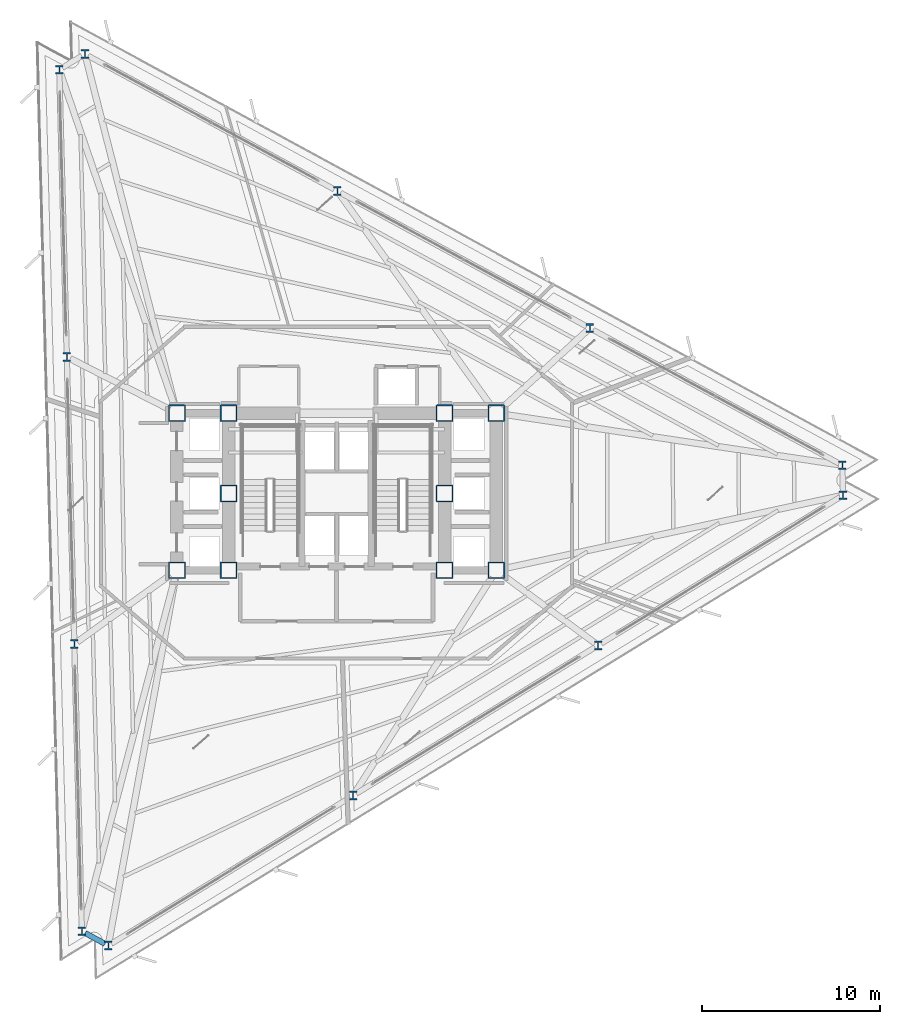
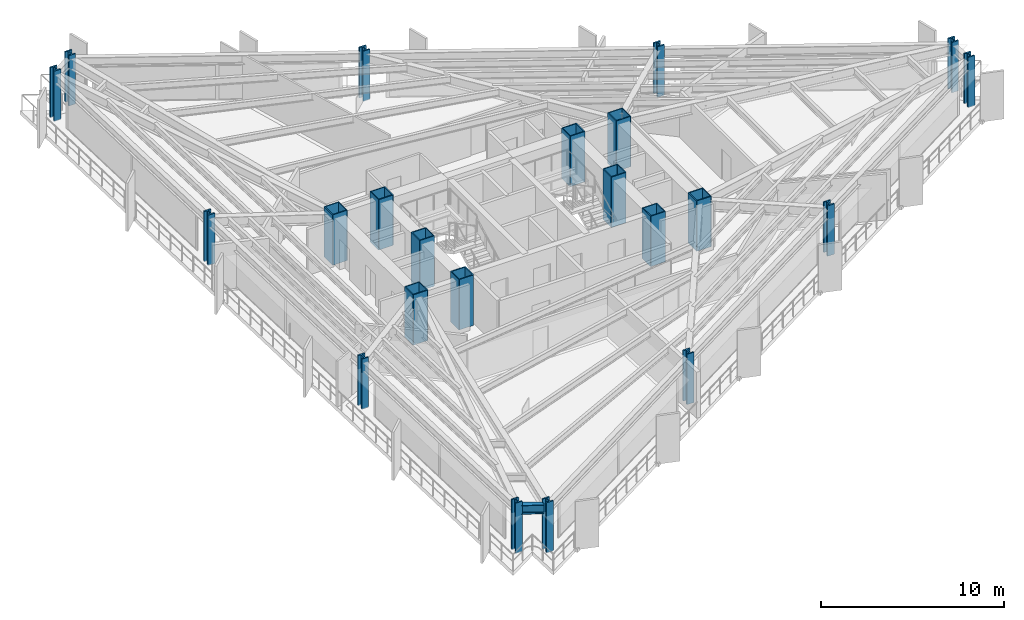
# One storey, part 1 of 14: 22 columns, 1 beam.
"""IFC4 building model written with IfcOpenShell, lengths in metres."""

from ifc_helpers import new_model, si_unit, direction, frame, origin, origin_2d, place, context, subcontext, project, spatial, hollow_rectangle, i_section, extrude, material, material_profile, profile_set, type_object, element, save


model = new_model("IFC4")

# Units and contexts
model_context = context("Model", 3, precision=1e-05, world=origin(), true_north=direction((0.0, 1.0)))
body_context = subcontext(model_context, "Body", "Model", "MODEL_VIEW")
ifc_project = project(units=[si_unit("LENGTHUNIT", "METRE"), si_unit("AREAUNIT", "SQUARE_METRE"), si_unit("VOLUMEUNIT", "CUBIC_METRE"), si_unit("PLANEANGLEUNIT", "RADIAN"), si_unit("MASSUNIT", "GRAM", prefix="KILO")], contexts=[model_context])

# Site, building, storey
site_placement = place(None, origin())
site = spatial("IfcSite", under=ifc_project, at=site_placement, CompositionType="ELEMENT")
building_placement = place(site_placement, origin())
building = spatial("IfcBuilding", under=site, at=building_placement, Name="Rocaltana Carrier Exchange", CompositionType="ELEMENT")
storey_placement = place(building_placement, frame((0.0, 0.0, 22.239990234375)))
storey = spatial("IfcBuildingStorey", under=building, at=storey_placement, Name="L07", CompositionType="ELEMENT", Elevation=22.239990234375)

# Columns
ifc_material_1 = material(Name="Steel S460", Category="steel")
ifc_material_profile_1 = material_profile(ifc_material_1, hollow_rectangle(XDim=0.949951171875, YDim=0.949951171875, WallThickness=0.06005859375, InnerFilletRadius=0.02001953125, OuterFilletRadius=0.0400390625, at=origin_2d()), Name="BOX950X950X60")
ifc_profile_set_1 = profile_set([ifc_material_profile_1], Name="Steel S460")
column_type_1 = type_object("IfcColumnType", Name="Core Mega-Column BOX950", PredefinedType="COLUMN", material=ifc_profile_set_1)
for number, where, z_axis, x_axis, name in (
    (1, (-6.050048828125, 4.5, 0.0), (0.0, 0.0, 1.0), (1.0, 0.0, 0.0), "L07 Core Mega-Column MC1"),
    (2, (6.050048828125, 4.5, 0.0), (0.0, 0.0, 1.0), (1.0, 0.0, 0.0), "L07 Core Mega-Column MC2"),
    (3, (-6.050048828125, 0.0, 0.0), (0.0, 0.0, 1.0), (1.0, 0.0, 0.0), "L07 Core Mega-Column MC3"),
    (4, (6.050048828125, 0.0, 0.0), (0.0, 0.0, 1.0), (1.0, 0.0, 0.0), "L07 Core Mega-Column MC4"),
    (5, (-6.050048828125, -4.300048828125, 0.0), (0.0, 0.0, 1.0), (1.0, 0.0, 0.0), "L07 Core Mega-Column MC5"),
    (6, (6.050048828125, -4.300048828125, 0.0), (0.0, 0.0, 1.0), (1.0, 0.0, 0.0), "L07 Core Mega-Column MC6"),
    (7, (-8.949951171875, 4.5, 0.0), (0.0, 0.0, 1.0), (1.0, 0.0, 0.0), "L07 West Core Column WC1"),
    (8, (-8.949951171875, -4.300048828125, 0.0), (0.0, 0.0, 1.0), (1.0, 0.0, 0.0), "L07 West Core Column WC2"),
    (9, (8.949951171875, 4.5, 0.0), (0.0, 0.0, 1.0), (1.0, 0.0, 0.0), "L07 East Core Column EC1"),
    (10, (8.949951171875, -4.300048828125, 0.0), (0.0, 0.0, 1.0), (1.0, 0.0, 0.0), "L07 East Core Column EC2"),
):
    element("IfcColumn", number, at=place(storey_placement, frame(where, z_axis=z_axis, x_axis=x_axis)), inside=storey, type_object=column_type_1, Name=name, PredefinedType="COLUMN", context=body_context, shape_type="SweptSolid", body=[
        extrude(hollow_rectangle(XDim=0.949951171875, YDim=0.949951171875, WallThickness=0.06005859375, InnerFilletRadius=0.02001953125, OuterFilletRadius=0.0400390625, at=origin_2d()), origin(), (0.0, 0.0, 1.0), 3.360107421875),
    ])
ifc_material_2 = material(Name="Steel S460", Category="steel")
ifc_material_profile_2 = material_profile(ifc_material_2, i_section(OverallWidth=0.431884765625, OverallDepth=0.498046875, WebThickness=0.0556640625, FlangeThickness=0.0888671875, FilletRadius=0.02490234375, at=origin_2d()), Name="W14X500")
ifc_profile_set_2 = profile_set([ifc_material_profile_2], Name="Steel S460")
column_type_2 = type_object("IfcColumnType", Name="Perimeter Column W14X500", PredefinedType="COLUMN", material=ifc_profile_set_2)
for number, where, z_axis, x_axis, name in (
    (11, (28.340576171875, 1.5849609375, 0.0), (0.0, 0.0, 1.0), (1.0, 0.0, 0.0), "L07 Perimeter Column TC01"),
    (12, (14.191650390625, 9.26708984375, 0.0), (0.0, 0.0, 1.0), (1.0, 0.0, 0.0), "L07 Perimeter Column TC02"),
    (13, (0.042724609375, 16.949462890625, 0.0), (0.0, 0.0, 1.0), (1.0, 0.0, 0.0), "L07 Perimeter Column TC03"),
    (14, (-14.106201171875, 24.631591796875, 0.0), (0.0, 0.0, 1.0), (1.0, 0.0, 0.0), "L07 Perimeter Column TC04"),
    (15, (-15.54296875, 23.751220703125, 0.0), (0.0, 0.0, 1.0), (1.0, 0.0, 0.0), "L07 Perimeter Column TC05"),
    (16, (-15.121337890625, 7.65673828125, 0.0), (0.0, 0.0, 1.0), (1.0, 0.0, 0.0), "L07 Perimeter Column TC06"),
    (17, (-14.699951171875, -8.437744140625, 0.0), (0.0, 0.0, 1.0), (1.0, 0.0, 0.0), "L07 Perimeter Column TC07"),
    (18, (-14.278564453125, -24.5322265625, 0.0), (0.0, 0.0, 1.0), (1.0, 0.0, 0.0), "L07 Perimeter Column TC08"),
    (19, (-12.7978515625, -25.336181640625, 0.0), (0.0, 0.0, 1.0), (1.0, 0.0, 0.0), "L07 Perimeter Column TC09"),
    (20, (0.9296875, -16.923828125, 0.0), (0.0, 0.0, 1.0), (1.0, 0.0, 0.0), "L07 Perimeter Column TC10"),
    (21, (14.6572265625, -8.51171875, 0.0), (0.0, 0.0, 1.0), (1.0, 0.0, 0.0), "L07 Perimeter Column TC11"),
    (22, (28.384765625, -0.099609375, 0.0), (0.0, 0.0, 1.0), (1.0, 0.0, 0.0), "L07 Perimeter Column TC12"),
):
    element("IfcColumn", number, at=place(storey_placement, frame(where, z_axis=z_axis, x_axis=x_axis)), inside=storey, type_object=column_type_2, Name=name, PredefinedType="COLUMN", context=body_context, shape_type="SweptSolid", body=[
        extrude(i_section(OverallWidth=0.431884765625, OverallDepth=0.498046875, WebThickness=0.0556640625, FlangeThickness=0.0888671875, FilletRadius=0.02490234375, at=origin_2d()), origin(), (0.0, 0.0, 1.0), 3.360107421875),
    ])

# Beam
ifc_material_3 = material(Name="Steel S355", Category="steel")
ifc_material_profile_3 = material_profile(ifc_material_3, i_section(OverallWidth=0.300048828125, OverallDepth=0.60009765625, WebThickness=0.015380859375, FlangeThickness=0.030029296875, FilletRadius=0.027099609375, at=origin_2d()), Name="HEB600")
ifc_profile_set_3 = profile_set([ifc_material_profile_3], Name="Steel S355")
beam_type = type_object("IfcBeamType", Name="Spandrel Edge Beam HEB600", PredefinedType="SPANDREL", material=ifc_profile_set_3)
beam_placement = place(storey_placement, frame((-14.095703125, -24.631591796875, 2.798095703125), z_axis=(0.878871874153, -0.477057888335, 0.0), x_axis=(0.477057888335, 0.878871874153, 0.0)))
element("IfcBeam", 23, at=beam_placement, inside=storey, type_object=beam_type, Name="SP-L07-08", PredefinedType="SPANDREL", context=body_context, shape_type="SweptSolid", body=[
    extrude(i_section(OverallWidth=0.300048828125, OverallDepth=0.60009765625, WebThickness=0.015380859375, FlangeThickness=0.030029296875, FilletRadius=0.027099609375, at=origin_2d()), origin(), (0.0, 0.0, 1.0), 1.2685546875),
])

save(model, "model.ifc")
